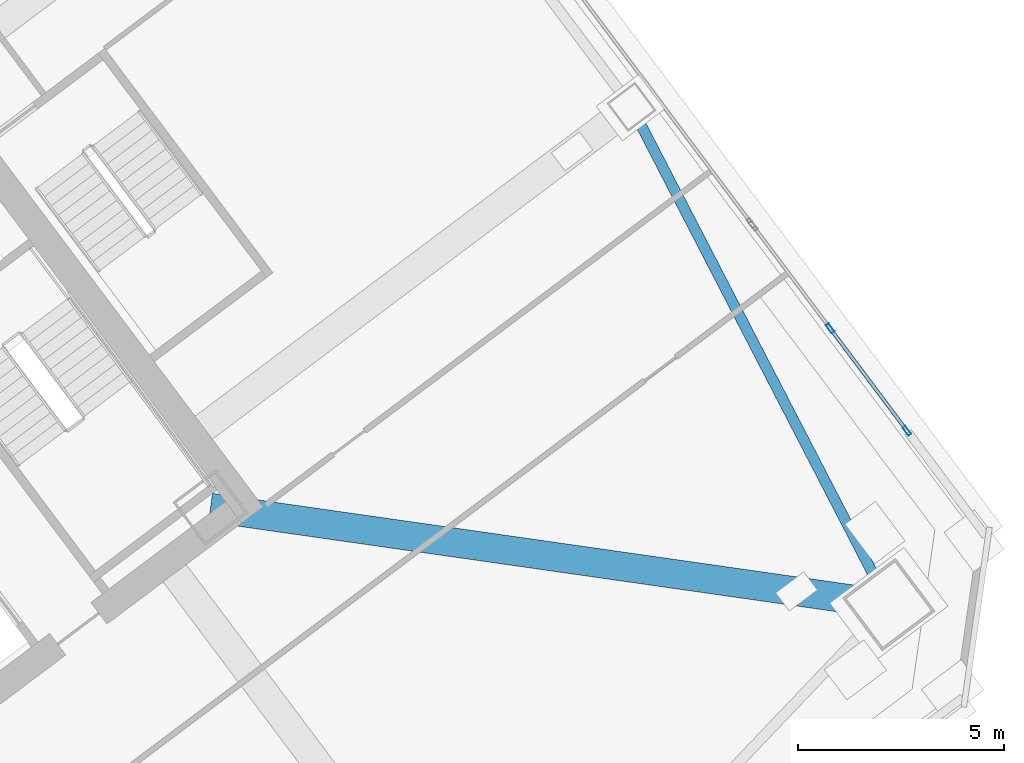
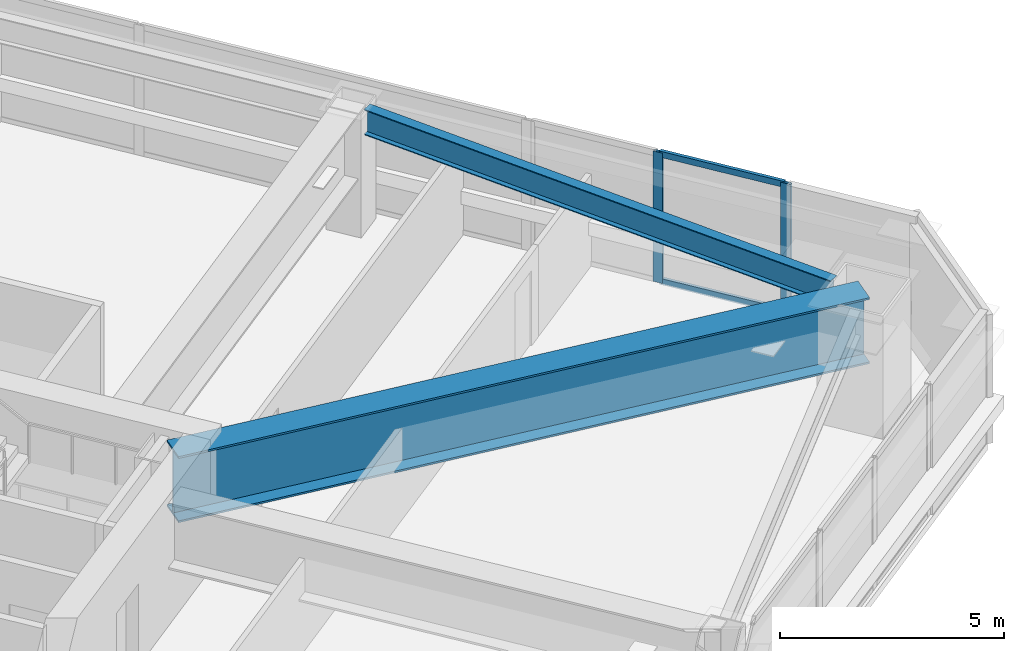
# One storey, part 28 of 48: 4 members, 2 beams, 1 element without a shape of its own.
"""IFC4 building model written with IfcOpenShell, lengths in metres."""

from ifc_helpers import new_model, si_unit, direction, frame, origin, origin_2d, place, context, subcontext, project, spatial, hollow_rectangle, i_section, extrude, material, material_profile, profile_set, type_object, element, aggregate, save


model = new_model("IFC4")

# Units and contexts
model_context = context("Model", 3, precision=1e-05, world=origin(), true_north=direction((0.0, 1.0)))
body_context = subcontext(model_context, "Body", "Model", "MODEL_VIEW")
ifc_project = project(units=[si_unit("LENGTHUNIT", "METRE"), si_unit("AREAUNIT", "SQUARE_METRE"), si_unit("VOLUMEUNIT", "CUBIC_METRE"), si_unit("PLANEANGLEUNIT", "RADIAN"), si_unit("MASSUNIT", "GRAM", prefix="KILO")], contexts=[model_context])

# Site, building, storey
site_placement = place(None, origin())
site = spatial("IfcSite", under=ifc_project, at=site_placement, CompositionType="ELEMENT")
building_placement = place(site_placement, origin())
building = spatial("IfcBuilding", under=site, at=building_placement, Name="Tashvorn Skyway Center", CompositionType="ELEMENT")
storey_placement = place(building_placement, frame((0.0, 0.0, 63.64990234375)))
storey = spatial("IfcBuildingStorey", under=building, at=storey_placement, Name="L16", CompositionType="ELEMENT", Elevation=63.64990234375)

# Beams
ifc_material_1 = material(Name="Steel ASTM A572 Grade 50", Category="steel")
ifc_material_profile_1 = material_profile(ifc_material_1, i_section(OverallWidth=0.699951171875, OverallDepth=1.800048828125, WebThickness=0.031982421875, FlangeThickness=0.050048828125, at=origin_2d()), Name="PG1800x700")
ifc_profile_set_1 = profile_set([ifc_material_profile_1], Name="Steel ASTM A572 Grade 50")
beam_type_1 = type_object("IfcBeamType", Name="BM-BEAM-PG1800x700", PredefinedType="BEAM", material=ifc_profile_set_1)
beam_1_placement = place(storey_placement, frame((140.320068359375, 28.239990234375, 2.4501953125), z_axis=(-0.989948612107, 0.141427526976, 0.0), x_axis=(-0.141427526976, -0.989948612107, 0.0)))
element("IfcBeam", 1, at=beam_1_placement, inside=storey, type_object=beam_type_1, Name="Tower 2 L16 Setback Transfer Girder MC-SE", PredefinedType="BEAM", context=body_context, shape_type="SweptSolid", body=[
    extrude(i_section(OverallWidth=0.699951171875, OverallDepth=1.800048828125, WebThickness=0.031982421875, FlangeThickness=0.050048828125, at=origin_2d()), origin(), (0.0, 0.0, 1.0), 16.616943359375),
])
ifc_material_2 = material(Name="Steel ASTM A992 Grade 50", Category="steel")
ifc_material_profile_2 = material_profile(ifc_material_2, i_section(OverallWidth=0.256103515625, OverallDepth=0.693115234375, WebThickness=0.014404296875, FlangeThickness=0.023681640625, at=origin_2d()), Name="W27X114")
ifc_profile_set_2 = profile_set([ifc_material_profile_2], Name="Steel ASTM A992 Grade 50")
beam_type_2 = type_object("IfcBeamType", Name="BM-SPANDREL-W27X114", PredefinedType="SPANDREL", material=ifc_profile_set_2)
beam_2_placement = place(storey_placement, frame((139.954833984375, 28.9462890625, 3.003662109375), z_axis=(-0.459233413919, 0.888315637339, 0.0), x_axis=(-0.888315637339, -0.459233413919, 0.0)))
element("IfcBeam", 2, at=beam_2_placement, inside=storey, type_object=beam_type_2, Name="Tower 2 L16 Spandrel Beam 04", PredefinedType="SPANDREL", context=body_context, shape_type="SweptSolid", body=[
    extrude(i_section(OverallWidth=0.256103515625, OverallDepth=0.693115234375, WebThickness=0.014404296875, FlangeThickness=0.023681640625, at=origin_2d()), origin(), (0.0, 0.0, 1.0), 12.37255859375),
])

# Curtain wall, members
ifc_material_3 = material(Name="Thermally broken bronze-anodized aluminium 6063-T6", Category="aluminium")
curtain_wall_type = type_object("IfcCurtainWallType", Name="CW-CW-Z1", PredefinedType="NOTDEFINED", material=ifc_material_3)
curtain_wall_placement = place(storey_placement, origin())
curtain_wall = element("IfcCurtainWall", 3, at=curtain_wall_placement, inside=storey, type_object=curtain_wall_type, Name="Tower 2 L16 East Unitised Curtain Wall Glazing Group 3", PredefinedType="NOTDEFINED")
ifc_material_profile_3 = material_profile(ifc_material_3, hollow_rectangle(XDim=0.0849609375, YDim=0.239990234375, WallThickness=0.0048828125, at=origin_2d()), Name="ALU-MULL-85x240")
ifc_profile_set_3 = profile_set([ifc_material_profile_3], Name="Thermally broken bronze-anodized aluminium 6063-T6")
member_type_1 = type_object("IfcMemberType", Name="CWM-CW-Z1", PredefinedType="MULLION", material=ifc_profile_set_3)
member_1_placement = place(storey_placement, frame((138.89599609375, 34.938720703125, 0.0), z_axis=(0.0, 0.0, 1.0), x_axis=(0.800001906763, 0.599997457641, 0.0)))
member_1 = element("IfcMember", 4, at=member_1_placement, type_object=member_type_1, Name="CW-Z1 mullion 2", PredefinedType="MULLION", context=body_context, shape_type="SweptSolid", body=[
    extrude(hollow_rectangle(XDim=0.0849609375, YDim=0.239990234375, WallThickness=0.0048828125, at=origin_2d()), origin(), (0.0, 0.0, 1.0), 3.550048828125),
])
member_2_placement = place(storey_placement, frame((140.758544921875, 32.455322265625, 0.0), z_axis=(0.0, 0.0, 1.0), x_axis=(0.800001906763, 0.599997457641, 0.0)))
member_2 = element("IfcMember", 5, at=member_2_placement, type_object=member_type_1, Name="CW-Z1 mullion 3", PredefinedType="MULLION", context=body_context, shape_type="SweptSolid", body=[
    extrude(hollow_rectangle(XDim=0.0849609375, YDim=0.239990234375, WallThickness=0.0048828125, at=origin_2d()), origin(), (0.0, 0.0, 1.0), 3.550048828125),
])
ifc_material_profile_4 = material_profile(ifc_material_3, hollow_rectangle(XDim=0.0849609375, YDim=0.1650390625, WallThickness=0.0048828125, at=origin_2d()), Name="ALU-TRAN-85x165")
ifc_profile_set_4 = profile_set([ifc_material_profile_4], Name="Thermally broken bronze-anodized aluminium 6063-T6")
member_type_2 = type_object("IfcMemberType", Name="CWT-CW-Z1", PredefinedType="USERDEFINED", material=ifc_profile_set_4)
member_3_placement = place(storey_placement, frame((138.92138671875, 34.904541015625, 0.04248046875), z_axis=(0.600012938206, -0.799990296182, 0.0), x_axis=(0.799990296182, 0.600012938206, 0.0)))
member_3 = element("IfcMember", 6, at=member_3_placement, type_object=member_type_2, Name="CW-Z1 transom 2.1", ObjectType="TRANSOM", PredefinedType="USERDEFINED", context=body_context, shape_type="SweptSolid", body=[
    extrude(hollow_rectangle(XDim=0.0849609375, YDim=0.1650390625, WallThickness=0.0048828125, at=origin_2d()), origin(), (0.0, 0.0, 1.0), 3.01904296875),
])
member_4_placement = place(storey_placement, frame((138.92138671875, 34.904541015625, 3.507568359375), z_axis=(0.600012938206, -0.799990296182, 0.0), x_axis=(0.799990296182, 0.600012938206, 0.0)))
member_4 = element("IfcMember", 7, at=member_4_placement, type_object=member_type_2, Name="CW-Z1 transom 2.2", ObjectType="TRANSOM", PredefinedType="USERDEFINED", context=body_context, shape_type="SweptSolid", body=[
    extrude(hollow_rectangle(XDim=0.0849609375, YDim=0.1650390625, WallThickness=0.0048828125, at=origin_2d()), origin(), (0.0, 0.0, 1.0), 3.01904296875),
])
aggregate(curtain_wall, [member_1, member_2, member_3, member_4])

save(model, "model.ifc")
